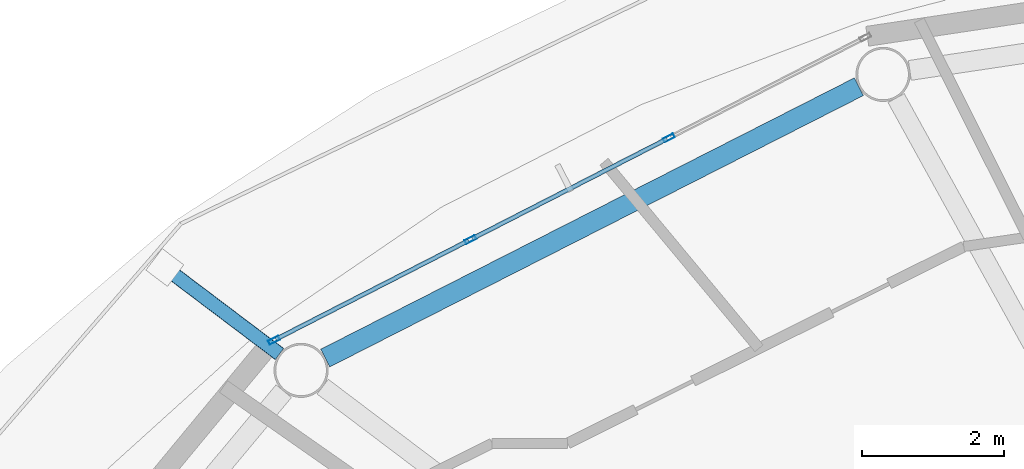
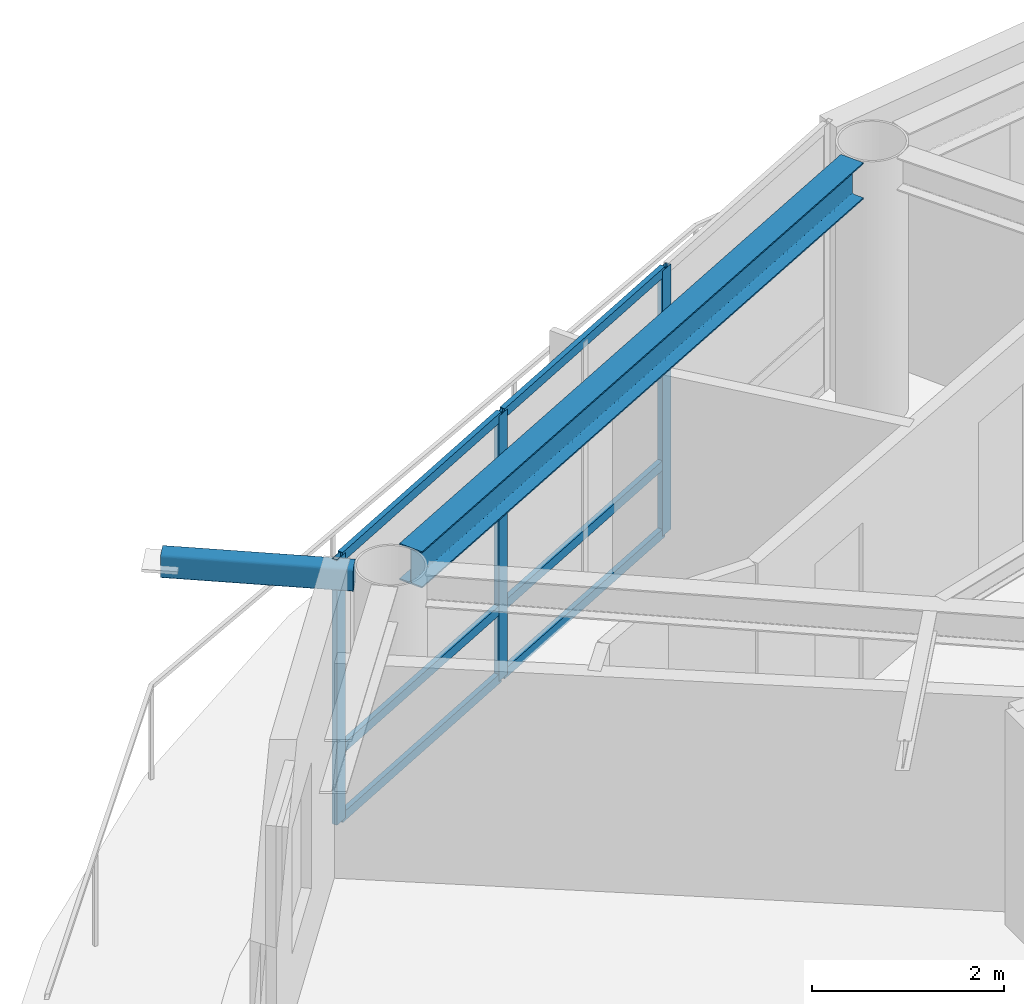
# One storey, part 8 of 23: 10 members, 1 beam, 1 element without a shape of its own.
"""IFC4 building model written with IfcOpenShell, lengths in metres."""

from ifc_helpers import new_model, si_unit, direction, frame, origin, origin_2d, place, context, subcontext, project, spatial, hollow_rectangle, i_section, extrude, material, layer, layer_set, material_profile, profile_set, type_object, element, aggregate, save


model = new_model("IFC4")

# Units and contexts
model_context = context("Model", 3, precision=1e-05, world=origin(), true_north=direction((0.0, 1.0)))
body_context = subcontext(model_context, "Body", "Model", "MODEL_VIEW")
ifc_project = project(units=[si_unit("LENGTHUNIT", "METRE"), si_unit("AREAUNIT", "SQUARE_METRE"), si_unit("VOLUMEUNIT", "CUBIC_METRE"), si_unit("PLANEANGLEUNIT", "RADIAN"), si_unit("MASSUNIT", "GRAM", prefix="KILO")], contexts=[model_context])

# Site, building, storey
site_placement = place(None, origin())
site = spatial("IfcSite", under=ifc_project, at=site_placement, CompositionType="ELEMENT")
building_placement = place(site_placement, origin())
building = spatial("IfcBuilding", under=site, at=building_placement, Name="Sarneth Arch Tower", CompositionType="ELEMENT")
storey_placement = place(building_placement, frame((0.0, 0.0, 280.199951171875)))
storey = spatial("IfcBuildingStorey", under=building, at=storey_placement, Name="L72", CompositionType="ELEMENT", Elevation=280.199951171875)

# Beam
ifc_material_1 = material(Name="Steel S355", Category="steel")
ifc_material_profile_1 = material_profile(ifc_material_1, i_section(OverallWidth=0.280029296875, OverallDepth=0.462890625, WebThickness=0.0107421875, FlangeThickness=0.017333984375, FilletRadius=0.01806640625, at=origin_2d()), Name="W460x113")
ifc_profile_set_1 = profile_set([ifc_material_profile_1], Name="Steel S355")
beam_type = type_object("IfcBeamType", Name="BM-RAD-460A", PredefinedType="BEAM", material=ifc_profile_set_1)
beam_placement = place(storey_placement, frame((37.86962890625, 59.565673828125, 3.138427734375), z_axis=(-0.891373613492, -0.453269325204, 0.0), x_axis=(0.453269325204, -0.891373613492, 0.0)))
element("IfcBeam", 1, at=beam_placement, inside=storey, type_object=beam_type, Name="L72 Perimeter spandrel beam 06", PredefinedType="BEAM", context=body_context, shape_type="SweptSolid", body=[
    extrude(i_section(OverallWidth=0.280029296875, OverallDepth=0.462890625, WebThickness=0.0107421875, FlangeThickness=0.017333984375, FilletRadius=0.01806640625, at=origin_2d()), origin(), (0.0, 0.0, 1.0), 8.419677734375),
])

# Curtain wall, members
ifc_material_2 = material(Name="Anodised aluminium Type AA25 and solar-control low-e laminated IGU", Category="aluminium")
ifc_layer = layer(ifc_material_2, 0.179931640625)
ifc_layer_set = layer_set([ifc_layer], Name="Anodised aluminium Type AA25 and solar-control low-e laminated IGU")
curtain_wall_type = type_object("IfcCurtainWallType", Name="CW-RES-HIGH", PredefinedType="NOTDEFINED", material=ifc_layer_set)
curtain_wall_placement = place(storey_placement, origin())
curtain_wall = element("IfcCurtainWall", 2, at=curtain_wall_placement, inside=storey, type_object=curtain_wall_type, Name="L72 Unitised curtain wall facet 06", PredefinedType="NOTDEFINED")
ifc_material_3 = material(Name="Anodised Aluminium 6063-T6", Category="aluminium")
ifc_material_profile_2 = material_profile(ifc_material_3, hollow_rectangle(XDim=0.06005859375, YDim=0.159912109375, WallThickness=0.00390625, at=origin_2d()), Name="AL-MULL-160x60x4")
ifc_profile_set_2 = profile_set([ifc_material_profile_2], Name="Anodised Aluminium 6063-T6")
member_type_1 = type_object("IfcMemberType", Name="CW-MULLION", PredefinedType="MULLION", material=ifc_profile_set_2)
member_1_placement = place(storey_placement, frame((35.197509765625, 58.844970703125, 0.0), z_axis=(0.0, 0.0, 1.0), x_axis=(0.455941901753, -0.890009540525, 0.0)))
member_1 = element("IfcMember", 3, at=member_1_placement, type_object=member_type_1, Name="CW-SYS-6 mullion 2", PredefinedType="MULLION", context=body_context, shape_type="SweptSolid", body=[
    extrude(hollow_rectangle(XDim=0.06005859375, YDim=0.159912109375, WallThickness=0.00390625, at=origin_2d()), origin(), (0.0, 0.0, 1.0), 3.3701171875),
])
member_2_placement = place(storey_placement, frame((32.407470703125, 57.415771484375, 0.0), z_axis=(0.0, 0.0, 1.0), x_axis=(0.455941901753, -0.890009540525, 0.0)))
member_2 = element("IfcMember", 4, at=member_2_placement, type_object=member_type_1, Name="CW-SYS-6 mullion 3", PredefinedType="MULLION", context=body_context, shape_type="SweptSolid", body=[
    extrude(hollow_rectangle(XDim=0.06005859375, YDim=0.159912109375, WallThickness=0.00390625, at=origin_2d()), origin(), (0.0, 0.0, 1.0), 3.3701171875),
])
member_3_placement = place(storey_placement, frame((29.644287109375, 56.000244140625, 0.0), z_axis=(0.0, 0.0, 1.0), x_axis=(0.455941901753, -0.890009540525, 0.0)))
member_3 = element("IfcMember", 5, at=member_3_placement, type_object=member_type_1, Name="CW-SYS-6 mullion 4", PredefinedType="MULLION", context=body_context, shape_type="SweptSolid", body=[
    extrude(hollow_rectangle(XDim=0.06005859375, YDim=0.159912109375, WallThickness=0.00390625, at=origin_2d()), origin(), (0.0, 0.0, 1.0), 3.3701171875),
])
ifc_material_4 = material(Name="Anodised Aluminium 6063-T6", Category="aluminium")
ifc_material_profile_3 = material_profile(ifc_material_4, hollow_rectangle(XDim=0.06005859375, YDim=0.1201171875, WallThickness=0.00390625, at=origin_2d()), Name="AL-TRAN-120x60x4")
ifc_profile_set_3 = profile_set([ifc_material_profile_3], Name="Anodised Aluminium 6063-T6")
member_type_2 = type_object("IfcMemberType", Name="CW-TRANSOM", PredefinedType="USERDEFINED", material=ifc_profile_set_3)
member_4_placement = place(storey_placement, frame((35.170654296875, 58.831298828125, 0.030029296875), z_axis=(-0.890017432405, -0.455926496286, 0.0), x_axis=(0.455926496286, -0.890017432405, 0.0)))
member_4 = element("IfcMember", 6, at=member_4_placement, type_object=member_type_2, Name="CW-SYS-6 transom 2.1", ObjectType="TRANSOM", PredefinedType="USERDEFINED", context=body_context, shape_type="SweptSolid", body=[
    extrude(hollow_rectangle(XDim=0.06005859375, YDim=0.1201171875, WallThickness=0.00390625, at=origin_2d()), origin(), (0.0, 0.0, 1.0), 3.07470703125),
])
member_5_placement = place(storey_placement, frame((35.170654296875, 58.831298828125, 0.900146484375), z_axis=(-0.890017432405, -0.455926496286, 0.0), x_axis=(0.455926496286, -0.890017432405, 0.0)))
member_5 = element("IfcMember", 7, at=member_5_placement, type_object=member_type_2, Name="CW-SYS-6 transom 2.2", ObjectType="TRANSOM", PredefinedType="USERDEFINED", context=body_context, shape_type="SweptSolid", body=[
    extrude(hollow_rectangle(XDim=0.06005859375, YDim=0.1201171875, WallThickness=0.00390625, at=origin_2d()), origin(), (0.0, 0.0, 1.0), 3.07470703125),
])
member_6_placement = place(storey_placement, frame((35.170654296875, 58.831298828125, 3.340087890625), z_axis=(-0.890017432405, -0.455926496286, 0.0), x_axis=(0.455926496286, -0.890017432405, 0.0)))
member_6 = element("IfcMember", 8, at=member_6_placement, type_object=member_type_2, Name="CW-SYS-6 transom 2.3", ObjectType="TRANSOM", PredefinedType="USERDEFINED", context=body_context, shape_type="SweptSolid", body=[
    extrude(hollow_rectangle(XDim=0.06005859375, YDim=0.1201171875, WallThickness=0.00390625, at=origin_2d()), origin(), (0.0, 0.0, 1.0), 3.07470703125),
])
member_7_placement = place(storey_placement, frame((32.380859375, 57.402099609375, 0.030029296875), z_axis=(-0.890022732705, -0.455916149384, 0.0), x_axis=(0.455916149384, -0.890022732705, 0.0)))
member_7 = element("IfcMember", 9, at=member_7_placement, type_object=member_type_2, Name="CW-SYS-6 transom 3.1", ObjectType="TRANSOM", PredefinedType="USERDEFINED", context=body_context, shape_type="SweptSolid", body=[
    extrude(hollow_rectangle(XDim=0.06005859375, YDim=0.1201171875, WallThickness=0.00390625, at=origin_2d()), origin(), (0.0, 0.0, 1.0), 3.044921875),
])
member_8_placement = place(storey_placement, frame((32.380859375, 57.402099609375, 0.900146484375), z_axis=(-0.890022732705, -0.455916149384, 0.0), x_axis=(0.455916149384, -0.890022732705, 0.0)))
member_8 = element("IfcMember", 10, at=member_8_placement, type_object=member_type_2, Name="CW-SYS-6 transom 3.2", ObjectType="TRANSOM", PredefinedType="USERDEFINED", context=body_context, shape_type="SweptSolid", body=[
    extrude(hollow_rectangle(XDim=0.06005859375, YDim=0.1201171875, WallThickness=0.00390625, at=origin_2d()), origin(), (0.0, 0.0, 1.0), 3.044921875),
])
member_9_placement = place(storey_placement, frame((32.380859375, 57.402099609375, 3.340087890625), z_axis=(-0.890022732705, -0.455916149384, 0.0), x_axis=(0.455916149384, -0.890022732705, 0.0)))
member_9 = element("IfcMember", 11, at=member_9_placement, type_object=member_type_2, Name="CW-SYS-6 transom 3.3", ObjectType="TRANSOM", PredefinedType="USERDEFINED", context=body_context, shape_type="SweptSolid", body=[
    extrude(hollow_rectangle(XDim=0.06005859375, YDim=0.1201171875, WallThickness=0.00390625, at=origin_2d()), origin(), (0.0, 0.0, 1.0), 3.044921875),
])
aggregate(curtain_wall, [member_1, member_2, member_3, member_4, member_5, member_6, member_7, member_8, member_9])

# Member
ifc_material_5 = material(Name="Steel S355", Category="steel")
ifc_material_profile_4 = material_profile(ifc_material_5, hollow_rectangle(XDim=0.199951171875, YDim=0.300048828125, WallThickness=0.012451171875, InnerFilletRadius=0.018798828125, OuterFilletRadius=0.03125, at=origin_2d()), Name="RHS300x200x12.5")
ifc_profile_set_4 = profile_set([ifc_material_profile_4], Name="Steel S355")
member_type_3 = type_object("IfcMemberType", Name="MEM-CANT-STRUT", PredefinedType="STRUT", material=ifc_profile_set_4)
member_10_placement = place(storey_placement, frame((29.720703125, 55.80615234375, 3.2099609375), z_axis=(-0.797950007974, 0.602723638806, 0.0), x_axis=(-0.602723638806, -0.797950007974, 0.0)))
element("IfcMember", 12, at=member_10_placement, inside=storey, type_object=member_type_3, Name="L72 Balcony cantilever bracket 07", PredefinedType="STRUT", context=body_context, shape_type="SweptSolid", body=[
    extrude(hollow_rectangle(XDim=0.199951171875, YDim=0.300048828125, WallThickness=0.012451171875, InnerFilletRadius=0.018798828125, OuterFilletRadius=0.03125, at=origin_2d()), origin(), (0.0, 0.0, 1.0), 2.01953125),
])

save(model, "model.ifc")
